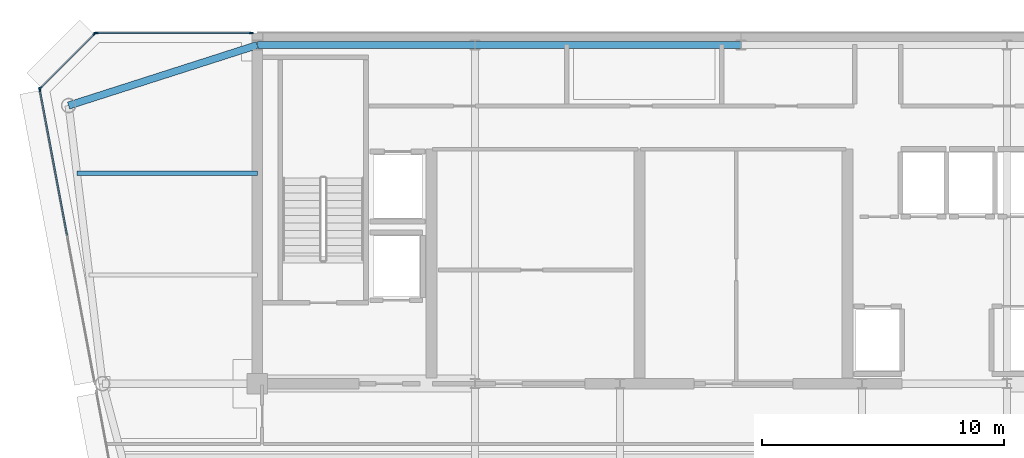
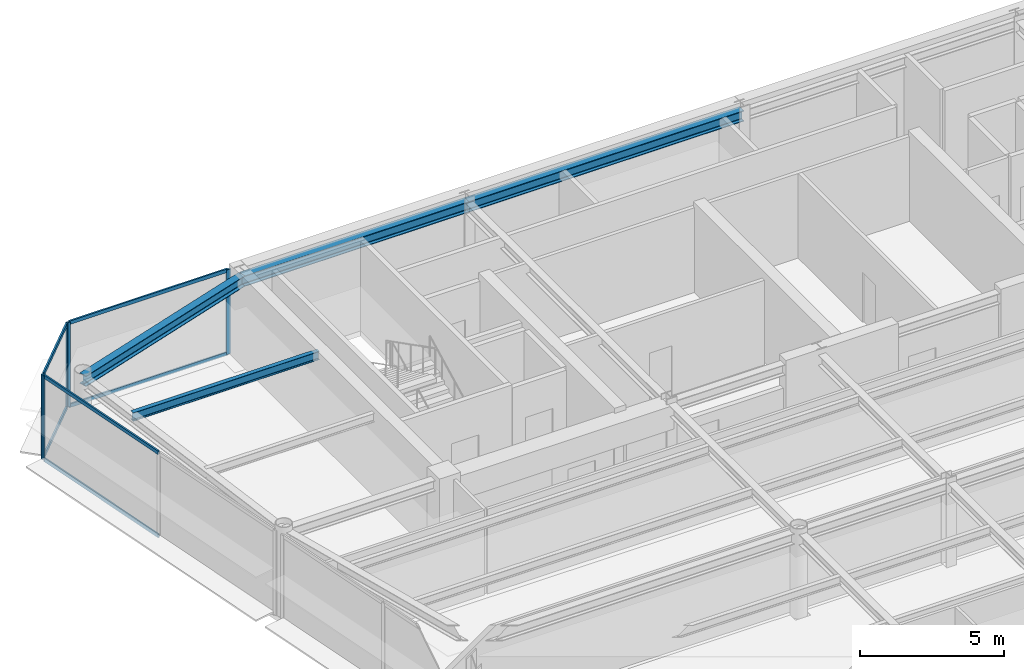
# One storey, part 8 of 19: 11 members, 4 beams, 3 elements without a shape of their own.
"""IFC4 building model written with IfcOpenShell, lengths in metres."""

import ifcopenshell
import ifcopenshell.guid

model = None  # the IFC model being written
_history = None  # IfcOwnerHistory: only IFC2X3 demands one
_inside = {}  # id of a spatial element -> (the spatial element, [elements in it])
_under = {}  # id of a project, library or spatial element -> (it, [spatial elements below it])
_declared = {}  # id of a project -> (the project, [libraries it declares])
_typed = {}  # id of a type object -> (the type object, [elements of that type])
_made_of = {}  # id of a material, layer set ... -> (it, [elements and type objects made of it])


def new_model(schema):
    """Start an empty IFC model of exactly this schema.

    Asked for "IFC4X3", IfcOpenShell would pick the latest addendum, in which some entities
    have other attributes; the version numbers below select the first issue.
    IFC2X3 requires an IfcOwnerHistory on every rooted entity: one is made here for all.
    """
    global model, _history
    if schema == "IFC4X3":
        model = ifcopenshell.file(schema_version=(4, 3, 0, 0))
    else:
        model = ifcopenshell.file(schema=schema)
    _inside.clear()
    _under.clear()
    _declared.clear()
    _typed.clear()
    _made_of.clear()
    _history = None
    if model.schema == "IFC2X3":
        org = make("IfcOrganization", Name="unknown")
        user = make(
            "IfcPersonAndOrganization",
            ThePerson=make("IfcPerson", FamilyName="unknown"),
            TheOrganization=org,
        )
        app = make(
            "IfcApplication",
            ApplicationDeveloper=org,
            Version="unknown",
            ApplicationFullName="unknown",
            ApplicationIdentifier="unknown",
        )
        _history = make(
            "IfcOwnerHistory",
            OwningUser=user,
            OwningApplication=app,
            ChangeAction="ADDED",
            CreationDate=0,
        )
    return model


def make(cls, **values):
    """One entity of the class cls with the attributes given. An attribute that is None is left unset."""
    return model.create_entity(
        cls, **{name: value for name, value in values.items() if value is not None}
    )


def rooted(cls, **values):
    """An entity with a GlobalId (a new one), such as an element, a storey or a relation."""
    return make(cls, GlobalId=ifcopenshell.guid.new(), OwnerHistory=_history, **values)


def si_unit(unit_type, name, prefix=None):
    """IfcSIUnit, for example si_unit("LENGTHUNIT", "METRE", prefix="MILLI")."""
    return make("IfcSIUnit", UnitType=unit_type, Prefix=prefix, Name=name)


def assignment(units):
    """IfcUnitAssignment: the units of a project."""
    return None if units is None else make("IfcUnitAssignment", Units=units)


def point(xyz):
    """IfcCartesianPoint."""
    return None if xyz is None else make("IfcCartesianPoint", Coordinates=xyz)


def direction(xyz):
    """IfcDirection."""
    return None if xyz is None else make("IfcDirection", DirectionRatios=xyz)


def frame(location, z_axis=None, x_axis=None):
    """IfcAxis2Placement3D, a coordinate frame: its origin and axes. An axis left out is left unset."""
    return make(
        "IfcAxis2Placement3D",
        Location=point(location),
        Axis=direction(z_axis),
        RefDirection=direction(x_axis),
    )


def frame_2d(location, x_axis=None):
    """IfcAxis2Placement2D, a coordinate frame in the plane: its origin and x axis."""
    return make(
        "IfcAxis2Placement2D", Location=point(location), RefDirection=direction(x_axis)
    )


def origin():
    """The frame at (0, 0, 0) with its axes left unset."""
    return frame((0.0, 0.0, 0.0))


def origin_2d():
    """The frame at (0, 0) in the plane with its x axis left unset."""
    return frame_2d((0.0, 0.0))


def place(relative_to, where):
    """IfcLocalPlacement: puts the frame where relative to a parent placement (None: the world)."""
    return make(
        "IfcLocalPlacement", PlacementRelTo=relative_to, RelativePlacement=where
    )


def context(
    kind, dimensions, precision=None, world=None, true_north=None, identifier=None
):
    """IfcGeometricRepresentationContext, for example the 3D "Model" context."""
    return make(
        "IfcGeometricRepresentationContext",
        ContextIdentifier=identifier,
        ContextType=kind,
        CoordinateSpaceDimension=dimensions,
        Precision=precision,
        WorldCoordinateSystem=world,
        TrueNorth=true_north,
    )


def subcontext(parent, identifier, kind, view, scale=None):
    """IfcGeometricRepresentationSubContext, for example "Body" below "Model"."""
    return make(
        "IfcGeometricRepresentationSubContext",
        ContextIdentifier=identifier,
        ContextType=kind,
        ParentContext=parent,
        TargetScale=scale,
        TargetView=view,
    )


def project(units=None, contexts=None):
    """IfcProject with its units and contexts."""
    return rooted(
        "IfcProject",
        Name="project",
        RepresentationContexts=contexts,
        UnitsInContext=assignment(units),
    )


def spatial(cls, under=None, at=None, **own):
    """A site, building, storey or space (cls), placed at a placement, below another one or the project."""
    s = rooted(cls, ObjectPlacement=at, **own)
    if under is not None:
        _under.setdefault(under.id(), (under, []))[1].append(s)
    return s


def profile(cls, at=None, kind="AREA", **sizes):
    """A parametric profile (cls). Its sizes go by their IFC names, for example OverallWidth=200.0."""
    return make(cls, ProfileType=kind, Position=at, **sizes)


def rectangle(**sizes):
    """IfcRectangleProfileDef."""
    return profile("IfcRectangleProfileDef", **sizes)


def i_section(**sizes):
    """IfcIShapeProfileDef."""
    return profile("IfcIShapeProfileDef", **sizes)


def extrude(swept, where, along, depth):
    """IfcExtrudedAreaSolid: the profile swept, set in the frame where, extruded along a direction by depth."""
    return make(
        "IfcExtrudedAreaSolid",
        SweptArea=swept,
        Position=where,
        ExtrudedDirection=direction(along),
        Depth=depth,
    )


def shape(context_of_items, identifier, shape_type, items):
    """IfcShapeRepresentation: the items that make up one representation, for example the "Body"."""
    return make(
        "IfcShapeRepresentation",
        ContextOfItems=context_of_items,
        RepresentationIdentifier=identifier,
        RepresentationType=shape_type,
        Items=items,
    )


def source(mapping_origin, context_of_items, identifier, shape_type, items):
    """IfcRepresentationMap: a shape defined once, which mapped items show again and again."""
    return make(
        "IfcRepresentationMap",
        MappingOrigin=mapping_origin,
        MappedRepresentation=shape(context_of_items, identifier, shape_type, items),
    )


def transform(
    local_origin,
    x_axis=None,
    y_axis=None,
    z_axis=None,
    scale=None,
    scale2=None,
    scale3=None,
    uniform=True,
):
    """IfcCartesianTransformationOperator3D, or its non-uniform kind. x_axis, y_axis, z_axis: its Axis1, 2, 3."""
    if uniform:
        return make(
            "IfcCartesianTransformationOperator3D",
            Axis1=direction(x_axis),
            Axis2=direction(y_axis),
            LocalOrigin=point(local_origin),
            Scale=scale,
            Axis3=direction(z_axis),
        )
    return make(
        "IfcCartesianTransformationOperator3DnonUniform",
        Axis1=direction(x_axis),
        Axis2=direction(y_axis),
        LocalOrigin=point(local_origin),
        Scale=scale,
        Axis3=direction(z_axis),
        Scale2=scale2,
        Scale3=scale3,
    )


def mapped(mapping_source, mapping_target):
    """IfcMappedItem: shows the shape of a source again, moved by a transform."""
    return make(
        "IfcMappedItem", MappingSource=mapping_source, MappingTarget=mapping_target
    )


def material(Name=None, Category=None):
    """IfcMaterial."""
    return make("IfcMaterial", Name=Name, Category=Category)


def layer(
    of_material, thickness, ventilated=None, Name=None, Category=None, Priority=None
):
    """IfcMaterialLayer: one layer of a wall or slab, of a material (None: an air gap)."""
    return make(
        "IfcMaterialLayer",
        Material=of_material,
        LayerThickness=thickness,
        IsVentilated=ventilated,
        Name=Name,
        Category=Category,
        Priority=Priority,
    )


def layer_set(layers, Name=None):
    """IfcMaterialLayerSet."""
    return make("IfcMaterialLayerSet", MaterialLayers=layers, LayerSetName=Name)


def material_profile(
    of_material, cross_section, Name=None, Category=None, Priority=None
):
    """IfcMaterialProfile: a cross section and its material."""
    return make(
        "IfcMaterialProfile",
        Name=Name,
        Material=of_material,
        Profile=cross_section,
        Priority=Priority,
        Category=Category,
    )


def profile_set(profiles, Name=None, composite=None):
    """IfcMaterialProfileSet."""
    return make(
        "IfcMaterialProfileSet",
        Name=Name,
        MaterialProfiles=profiles,
        CompositeProfile=composite,
    )


def made_of(thing, what):
    """Note that an element or type object is made of a material, layer set ...; save() writes the relation."""
    if what is not None:
        _made_of.setdefault(what.id(), (what, []))[1].append(thing)
    return thing


def type_object(cls, material=None, **own):
    """A type object (cls), such as IfcWallType, which elements share."""
    return made_of(rooted(cls, **own), material)


def element(
    cls,
    number,
    at=None,
    inside=None,
    cuts=None,
    type_object=None,
    material=None,
    context=None,
    identifier="Body",
    shape_type=None,
    held_by="IfcProductDefinitionShape",
    body=None,
    shapes=None,
    **own,
):
    """One element of the class cls, such as IfcWall. Its Tag is "e" and its number.

    at: its placement. inside: the storey or other place that contains it. cuts: it is an
    opening in that element (IfcRelVoidsElement). A single representation is given by context,
    identifier, shape_type and body (its items); several are given by shapes. held_by: the class
    of the entity that holds the representations. save() writes the other relations.
    """
    e = rooted(cls, Tag="e%d" % number, ObjectPlacement=at, **own)
    if body is not None:
        shapes = [shape(context, identifier, shape_type, body)]
    if shapes is not None:
        e.Representation = make(held_by, Representations=shapes)
    if inside is not None:
        _inside.setdefault(inside.id(), (inside, []))[1].append(e)
    if cuts is not None:
        rooted(
            "IfcRelVoidsElement", RelatingBuildingElement=cuts, RelatedOpeningElement=e
        )
    if type_object is not None:
        _typed.setdefault(type_object.id(), (type_object, []))[1].append(e)
    return made_of(e, material)


def aggregate(whole, parts):
    """IfcRelAggregates: a whole, such as a stair, and the parts it consists of."""
    return rooted("IfcRelAggregates", RelatingObject=whole, RelatedObjects=parts)


def save(model, path):
    """Write the relations noted so far, then the file.

    IfcRelAggregates (storeys below a building ...), IfcRelContainedInSpatialStructure (elements
    in a storey), IfcRelDefinesByType, IfcRelAssociatesMaterial and IfcRelDeclares: one each for
    every whole, place, type object, material and project.
    """
    for whole, parts in _under.values():
        aggregate(whole, parts)
    for where, things in _inside.values():
        rooted(
            "IfcRelContainedInSpatialStructure",
            RelatedElements=things,
            RelatingStructure=where,
        )
    for kind, things in _typed.values():
        rooted("IfcRelDefinesByType", RelatedObjects=things, RelatingType=kind)
    for what, things in _made_of.values():
        rooted("IfcRelAssociatesMaterial", RelatedObjects=things, RelatingMaterial=what)
    for by, libraries in _declared.values():
        rooted("IfcRelDeclares", RelatingContext=by, RelatedDefinitions=libraries)
    model.write(path)


model = new_model("IFC4")

# Units and contexts
model_context = context("Model", 3, precision=1e-05, world=origin(), true_north=direction((0.0, 1.0)))
body_context = subcontext(model_context, "Body", "Model", "MODEL_VIEW")
ifc_project = project(units=[si_unit("LENGTHUNIT", "METRE"), si_unit("AREAUNIT", "SQUARE_METRE"), si_unit("VOLUMEUNIT", "CUBIC_METRE"), si_unit("PLANEANGLEUNIT", "RADIAN"), si_unit("MASSUNIT", "GRAM", prefix="KILO")], contexts=[model_context])

# Site, building, storey
site_placement = place(None, origin())
site = spatial("IfcSite", under=ifc_project, at=site_placement, CompositionType="ELEMENT")
building_placement = place(site_placement, origin())
building = spatial("IfcBuilding", under=site, at=building_placement, Name="Vaeldorn Concourse Tower", CompositionType="ELEMENT")
storey_placement = place(building_placement, frame((0.0, 0.0, 287.800048828125)))
storey = spatial("IfcBuildingStorey", under=building, at=storey_placement, Name="L74", CompositionType="ELEMENT", Elevation=287.800048828125)

# Beams
ifc_material_1 = material(Name="Steel S355", Category="steel")
ifc_material_profile_1 = material_profile(ifc_material_1, i_section(OverallWidth=0.300048828125, OverallDepth=0.449951171875, WebThickness=0.013916015625, FlangeThickness=0.02587890625, FilletRadius=0.027099609375, at=origin_2d()), Name="HEB 450")
ifc_profile_set_1 = profile_set([ifc_material_profile_1], Name="Steel S355")
beam_type_1 = type_object("IfcBeamType", Name="BM-PG-HEB450", PredefinedType="BEAM", material=ifc_profile_set_1)
shared_shape_1 = source(origin(), body_context, "Body", "SweptSolid", [
    extrude(i_section(OverallWidth=0.300048828125, OverallDepth=0.449951171875, WebThickness=0.013916015625, FlangeThickness=0.02587890625, FilletRadius=0.027099609375, at=origin_2d()), origin(), (0.0, 0.0, 1.0), 11.0),
])
beam_1_placement = place(storey_placement, frame((23.0, 50.5, 3.35498046875), z_axis=(1.0, 0.0, 0.0), x_axis=(0.0, 1.0, 0.0)))
element("IfcBeam", 1, at=beam_1_placement, inside=storey, type_object=beam_type_1, Name="Beam BM-L74-C-HC2-C-HC3", PredefinedType="BEAM", context=body_context, shape_type="MappedRepresentation", body=[
    mapped(shared_shape_1, transform((0.0, 0.0, 0.0), scale=1.0)),
])
ifc_material_profile_2 = material_profile(ifc_material_1, i_section(OverallWidth=0.169921875, OverallDepth=0.360107421875, WebThickness=0.008056640625, FlangeThickness=0.0126953125, FilletRadius=0.01806640625, at=origin_2d()), Name="IPE 360")
ifc_profile_set_2 = profile_set([ifc_material_profile_2], Name="Steel S355")
beam_type_2 = type_object("IfcBeamType", Name="BM-JS-IPE360", PredefinedType="JOIST", material=ifc_profile_set_2)
shared_shape_2 = source(origin(), body_context, "Body", "SweptSolid", [
    extrude(i_section(OverallWidth=0.169921875, OverallDepth=0.360107421875, WebThickness=0.008056640625, FlangeThickness=0.0126953125, FilletRadius=0.01806640625, at=origin_2d()), origin(), (0.0, 0.0, 1.0), 7.458984375),
])
beam_2_placement = place(storey_placement, frame((6.541015625, 45.199951171875, 3.39990234375), z_axis=(1.0, 0.0, 0.0), x_axis=(0.0, 1.0, 0.0)))
element("IfcBeam", 2, at=beam_2_placement, inside=storey, type_object=beam_type_2, Name="Beam JS-L74-NW-452", PredefinedType="JOIST", context=body_context, shape_type="MappedRepresentation", body=[
    mapped(shared_shape_2, transform((0.0, 0.0, 0.0), scale=1.0)),
])
shared_shape_3 = source(origin(), body_context, "Body", "SweptSolid", [
    extrude(i_section(OverallWidth=0.300048828125, OverallDepth=0.449951171875, WebThickness=0.013916015625, FlangeThickness=0.02587890625, FilletRadius=0.027099609375, at=origin_2d()), origin(), (0.0, 0.0, 1.0), 9.0),
])
beam_3_placement = place(storey_placement, frame((14.0, 50.5, 3.35498046875), z_axis=(1.0, 0.0, 0.0), x_axis=(0.0, 1.0, 0.0)))
element("IfcBeam", 3, at=beam_3_placement, inside=storey, type_object=beam_type_1, Name="Beam BM-L74-C-HC1-C-HC2", PredefinedType="BEAM", context=body_context, shape_type="MappedRepresentation", body=[
    mapped(shared_shape_3, transform((0.0, 0.0, 0.0), scale=1.0)),
])
shared_shape_4 = source(origin(), body_context, "Body", "SweptSolid", [
    extrude(i_section(OverallWidth=0.300048828125, OverallDepth=0.449951171875, WebThickness=0.013916015625, FlangeThickness=0.02587890625, FilletRadius=0.027099609375, at=origin_2d()), origin(), (0.0, 0.0, 1.0), 8.19091796875),
])
beam_4_placement = place(storey_placement, frame((6.199951171875, 48.0, 3.35498046875), z_axis=(0.952282843383, 0.305216949396, 0.0), x_axis=(-0.305216949396, 0.952282843383, 0.0)))
element("IfcBeam", 4, at=beam_4_placement, inside=storey, type_object=beam_type_1, Name="Beam BM-L74-C-NW1-C-HC1", PredefinedType="BEAM", context=body_context, shape_type="MappedRepresentation", body=[
    mapped(shared_shape_4, transform((0.0, 0.0, 0.0), scale=1.0)),
])

# Curtain wall, members
ifc_material_2 = material(Name="Anodised Bronze Aluminium", Category="aluminium")
ifc_layer = layer(ifc_material_2, 0.179931640625)
ifc_layer_set = layer_set([ifc_layer], Name="Anodised Bronze Aluminium")
curtain_wall_type = type_object("IfcCurtainWallType", Name="CW-SYS-05", PredefinedType="NOTDEFINED", material=ifc_layer_set)
curtain_wall_1_placement = place(storey_placement, origin())
curtain_wall_1 = element("IfcCurtainWall", 5, at=curtain_wall_1_placement, inside=storey, type_object=curtain_wall_type, Name="Unitised Curtain Wall CW-L74-E09-2", PredefinedType="NOTDEFINED")
ifc_material_profile_3 = material_profile(ifc_material_2, rectangle(XDim=0.06494140625, YDim=0.169921875, at=origin_2d()), Name="CWM 65x170")
ifc_profile_set_3 = profile_set([ifc_material_profile_3], Name="Anodised Bronze Aluminium")
member_type_1 = type_object("IfcMemberType", Name="CWM-BRONZE-170", PredefinedType="MULLION", material=ifc_profile_set_3)
shared_shape_5 = source(origin(), body_context, "Body", "SweptSolid", [
    extrude(rectangle(XDim=0.06494140625, YDim=0.169921875, at=origin_2d()), origin(), (0.0, 0.0, 1.0), 3.579833984375),
])
member_1_placement = place(storey_placement, frame((13.74755859375, 51.0, 0.0), z_axis=(0.0, 0.0, 1.0), x_axis=(0.0, -1.0, 0.0)))
member_1 = element("IfcMember", 6, at=member_1_placement, type_object=member_type_1, Name="CW-05 mullion 1", PredefinedType="MULLION", context=body_context, shape_type="MappedRepresentation", body=[
    mapped(shared_shape_5, transform((0.0, 0.0, 0.0), scale=1.0)),
])
member_2_placement = place(storey_placement, frame((7.33251953125, 51.0, 0.0), z_axis=(0.0, 0.0, 1.0), x_axis=(0.0, -1.0, 0.0)))
member_2 = element("IfcMember", 7, at=member_2_placement, type_object=member_type_1, Name="CW-05 mullion 2", PredefinedType="MULLION", context=body_context, shape_type="MappedRepresentation", body=[
    mapped(shared_shape_5, transform((0.0, 0.0, 0.0), scale=1.0)),
])

curtain_wall_2_placement = place(storey_placement, origin())
curtain_wall_2 = element("IfcCurtainWall", 8, at=curtain_wall_2_placement, inside=storey, type_object=curtain_wall_type, Name="Unitised Curtain Wall CW-L74-E10-1", PredefinedType="NOTDEFINED")
member_3_placement = place(storey_placement, frame((7.277099609375, 50.97705078125, 0.0), z_axis=(0.0, 0.0, 1.0), x_axis=(0.707106781187, -0.707106781187, 0.0)))
member_3 = element("IfcMember", 9, at=member_3_placement, type_object=member_type_1, Name="CW-05 mullion 1", PredefinedType="MULLION", context=body_context, shape_type="MappedRepresentation", body=[
    mapped(shared_shape_5, transform((0.0, 0.0, 0.0), scale=1.0)),
])
member_4_placement = place(storey_placement, frame((5.02294921875, 48.722900390625, 0.0), z_axis=(0.0, 0.0, 1.0), x_axis=(0.707106781187, -0.707106781187, 0.0)))
member_4 = element("IfcMember", 10, at=member_4_placement, type_object=member_type_1, Name="CW-05 mullion 2", PredefinedType="MULLION", context=body_context, shape_type="MappedRepresentation", body=[
    mapped(shared_shape_5, transform((0.0, 0.0, 0.0), scale=1.0)),
])

# Curtain wall, member
curtain_wall_3_placement = place(storey_placement, origin())
curtain_wall_3 = element("IfcCurtainWall", 11, at=curtain_wall_3_placement, inside=storey, type_object=curtain_wall_type, Name="Unitised Curtain Wall CW-L74-E11-1", PredefinedType="NOTDEFINED")
member_5_placement = place(storey_placement, frame((5.006103515625, 48.66796875, 0.0), z_axis=(0.0, 0.0, 1.0), x_axis=(0.982880218842, 0.184245693053, 0.0)))
member_5 = element("IfcMember", 12, at=member_5_placement, type_object=member_type_1, Name="CW-05 mullion 1", PredefinedType="MULLION", context=body_context, shape_type="MappedRepresentation", body=[
    mapped(shared_shape_5, transform((0.0, 0.0, 0.0), scale=1.0)),
])

# Member
ifc_material_profile_4 = material_profile(ifc_material_2, rectangle(XDim=0.06494140625, YDim=0.14990234375, at=origin_2d()), Name="CWT 65x150")
ifc_profile_set_4 = profile_set([ifc_material_profile_4], Name="Anodised Bronze Aluminium")
member_type_2 = type_object("IfcMemberType", Name="CWT-BRONZE-150", PredefinedType="USERDEFINED", material=ifc_profile_set_4)
shared_shape_6 = source(origin(), body_context, "Body", "SweptSolid", [
    extrude(rectangle(XDim=0.06494140625, YDim=0.14990234375, at=origin_2d()), origin(), (0.0, 0.0, 1.0), 3.123046875),
])
member_6_placement = place(storey_placement, frame((7.254150390625, 50.9541015625, 0.032470703125), z_axis=(-0.707106781187, -0.707106781187, 0.0), x_axis=(0.707106781187, -0.707106781187, 0.0)))
member_6 = element("IfcMember", 13, at=member_6_placement, type_object=member_type_2, Name="CW-05 transom 1.1", ObjectType="TRANSOM", PredefinedType="USERDEFINED", context=body_context, shape_type="MappedRepresentation", body=[
    mapped(shared_shape_6, transform((0.0, 0.0, 0.0), scale=1.0)),
])

member_7_placement = place(storey_placement, frame((7.254150390625, 50.9541015625, 3.54736328125), z_axis=(-0.707106781187, -0.707106781187, 0.0), x_axis=(0.707106781187, -0.707106781187, 0.0)))
member_7 = element("IfcMember", 14, at=member_7_placement, type_object=member_type_2, Name="CW-05 transom 1.2", ObjectType="TRANSOM", PredefinedType="USERDEFINED", context=body_context, shape_type="MappedRepresentation", body=[
    mapped(shared_shape_6, transform((0.0, 0.0, 0.0), scale=1.0)),
])

aggregate(curtain_wall_2, [member_3, member_4, member_6, member_7])

shared_shape_7 = source(origin(), body_context, "Body", "SweptSolid", [
    extrude(rectangle(XDim=0.06494140625, YDim=0.14990234375, at=origin_2d()), origin(), (0.0, 0.0, 1.0), 6.35009765625),
])
member_8_placement = place(storey_placement, frame((13.715087890625, 51.0, 0.032470703125), z_axis=(-1.0, 0.0, 0.0), x_axis=(0.0, -1.0, 0.0)))
member_8 = element("IfcMember", 15, at=member_8_placement, type_object=member_type_2, Name="CW-05 transom 1.1", ObjectType="TRANSOM", PredefinedType="USERDEFINED", context=body_context, shape_type="MappedRepresentation", body=[
    mapped(shared_shape_7, transform((0.0, 0.0, 0.0), scale=1.0)),
])

member_9_placement = place(storey_placement, frame((13.715087890625, 51.0, 3.54736328125), z_axis=(-1.0, 0.0, 0.0), x_axis=(0.0, -1.0, 0.0)))
member_9 = element("IfcMember", 16, at=member_9_placement, type_object=member_type_2, Name="CW-05 transom 1.2", ObjectType="TRANSOM", PredefinedType="USERDEFINED", context=body_context, shape_type="MappedRepresentation", body=[
    mapped(shared_shape_7, transform((0.0, 0.0, 0.0), scale=1.0)),
])

aggregate(curtain_wall_1, [member_1, member_2, member_8, member_9])

shared_shape_8 = source(origin(), body_context, "Body", "SweptSolid", [
    extrude(rectangle(XDim=0.06494140625, YDim=0.14990234375, at=origin_2d()), origin(), (0.0, 0.0, 1.0), 6.103515625),
])
member_10_placement = place(storey_placement, frame((5.011962890625, 48.63623046875, 0.032470703125), z_axis=(0.18424023288, -0.982881242363, 0.0), x_axis=(0.982881242363, 0.18424023288, 0.0)))
member_10 = element("IfcMember", 17, at=member_10_placement, type_object=member_type_2, Name="CW-05 transom 1.1", ObjectType="TRANSOM", PredefinedType="USERDEFINED", context=body_context, shape_type="MappedRepresentation", body=[
    mapped(shared_shape_8, transform((0.0, 0.0, 0.0), scale=1.0)),
])

member_11_placement = place(storey_placement, frame((5.011962890625, 48.63623046875, 3.54736328125), z_axis=(0.18424023288, -0.982881242363, 0.0), x_axis=(0.982881242363, 0.18424023288, 0.0)))
member_11 = element("IfcMember", 18, at=member_11_placement, type_object=member_type_2, Name="CW-05 transom 1.2", ObjectType="TRANSOM", PredefinedType="USERDEFINED", context=body_context, shape_type="MappedRepresentation", body=[
    mapped(shared_shape_8, transform((0.0, 0.0, 0.0), scale=1.0)),
])

aggregate(curtain_wall_3, [member_5, member_10, member_11])

save(model, "model.ifc")
